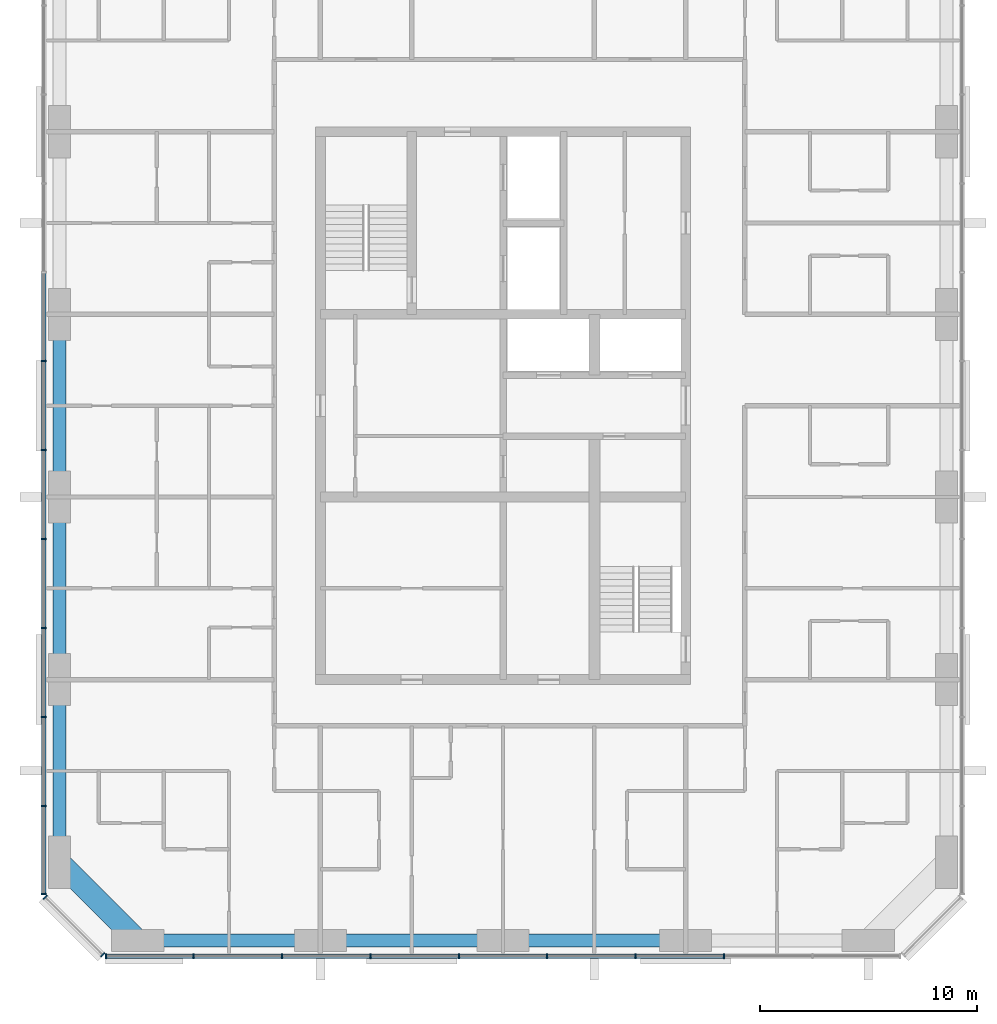
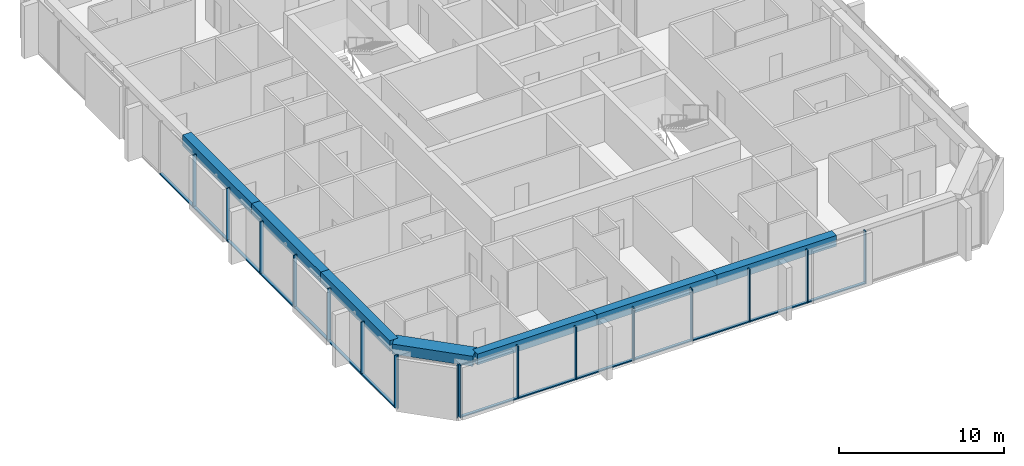
# One storey, part 2 of 12: 31 members, 7 beams, 3 elements without a shape of their own.
"""IFC4 building model written with IfcOpenShell, lengths in metres."""

from ifc_helpers import new_model, si_unit, direction, frame, origin, origin_2d, place, context, subcontext, project, spatial, rectangle, extrude, material, material_profile, profile_set, type_object, element, aggregate, save


model = new_model("IFC4")

# Units and contexts
model_context = context("Model", 3, precision=1e-05, world=origin(), true_north=direction((0.0, 1.0)))
body_context = subcontext(model_context, "Body", "Model", "MODEL_VIEW")
ifc_project = project(units=[si_unit("LENGTHUNIT", "METRE"), si_unit("AREAUNIT", "SQUARE_METRE"), si_unit("VOLUMEUNIT", "CUBIC_METRE"), si_unit("PLANEANGLEUNIT", "RADIAN"), si_unit("MASSUNIT", "GRAM", prefix="KILO")], contexts=[model_context])

# Site, building, storey
site_placement = place(None, origin())
site = spatial("IfcSite", under=ifc_project, at=site_placement, CompositionType="ELEMENT")
building_placement = place(site_placement, origin())
building = spatial("IfcBuilding", under=site, at=building_placement, Name="Dunama Terrace Hotel", CompositionType="ELEMENT")
storey_placement = place(building_placement, frame((0.0, 0.0, 256.800048828125)))
storey = spatial("IfcBuildingStorey", under=building, at=storey_placement, Name="L66", CompositionType="ELEMENT", Elevation=256.800048828125)

# Curtain wall, members
ifc_material_1 = material(Name="Aluminium curtain wall system", Category="aluminium")
curtain_wall_type = type_object("IfcCurtainWallType", Name="Unitised fritted glass wall CW-D", PredefinedType="NOTDEFINED", material=ifc_material_1)
curtain_wall_1_placement = place(storey_placement, origin())
curtain_wall_1 = element("IfcCurtainWall", 1, at=curtain_wall_1_placement, inside=storey, type_object=curtain_wall_type, Name="Unitised fritted glass wall CW-D L66", PredefinedType="NOTDEFINED")
ifc_material_2 = material(Name="Aluminium mullion", Category="aluminium")
ifc_material_profile_1 = material_profile(ifc_material_2, rectangle(XDim=0.070068359375, YDim=0.239990234375, at=origin_2d()), Name="CWD MULLION 70X240")
ifc_profile_set_1 = profile_set([ifc_material_profile_1], Name="Aluminium mullion")
member_type_1 = type_object("IfcMemberType", Name="CWD mullion 70x240", PredefinedType="MULLION", material=ifc_profile_set_1)
member_1_placement = place(storey_placement, frame((15.3349609375, 4.080078125, 0.0), z_axis=(0.0, 0.0, 1.0), x_axis=(1.0, 0.0, 0.0)))
member_1 = element("IfcMember", 2, at=member_1_placement, type_object=member_type_1, Name="CWD mullion", PredefinedType="MULLION", context=body_context, shape_type="SweptSolid", body=[
    extrude(rectangle(XDim=0.070068359375, YDim=0.239990234375, at=origin_2d()), origin(), (0.0, 0.0, 1.0), 3.89990234375),
])
member_2_placement = place(storey_placement, frame((19.366943359375, 4.080078125, 0.0), z_axis=(0.0, 0.0, 1.0), x_axis=(1.0, 0.0, 0.0)))
member_2 = element("IfcMember", 3, at=member_2_placement, type_object=member_type_1, Name="CWD mullion", PredefinedType="MULLION", context=body_context, shape_type="SweptSolid", body=[
    extrude(rectangle(XDim=0.070068359375, YDim=0.239990234375, at=origin_2d()), origin(), (0.0, 0.0, 1.0), 3.89990234375),
])
member_3_placement = place(storey_placement, frame((23.43310546875, 4.080078125, 0.0), z_axis=(0.0, 0.0, 1.0), x_axis=(1.0, 0.0, 0.0)))
member_3 = element("IfcMember", 4, at=member_3_placement, type_object=member_type_1, Name="CWD mullion", PredefinedType="MULLION", context=body_context, shape_type="SweptSolid", body=[
    extrude(rectangle(XDim=0.070068359375, YDim=0.239990234375, at=origin_2d()), origin(), (0.0, 0.0, 1.0), 3.89990234375),
])
member_4_placement = place(storey_placement, frame((27.5, 4.080078125, 0.0), z_axis=(0.0, 0.0, 1.0), x_axis=(1.0, 0.0, 0.0)))
member_4 = element("IfcMember", 5, at=member_4_placement, type_object=member_type_1, Name="CWD mullion", PredefinedType="MULLION", context=body_context, shape_type="SweptSolid", body=[
    extrude(rectangle(XDim=0.070068359375, YDim=0.239990234375, at=origin_2d()), origin(), (0.0, 0.0, 1.0), 3.89990234375),
])
member_5_placement = place(storey_placement, frame((31.56689453125, 4.080078125, 0.0), z_axis=(0.0, 0.0, 1.0), x_axis=(1.0, 0.0, 0.0)))
member_5 = element("IfcMember", 6, at=member_5_placement, type_object=member_type_1, Name="CWD mullion", PredefinedType="MULLION", context=body_context, shape_type="SweptSolid", body=[
    extrude(rectangle(XDim=0.070068359375, YDim=0.239990234375, at=origin_2d()), origin(), (0.0, 0.0, 1.0), 3.89990234375),
])
member_6_placement = place(storey_placement, frame((35.633056640625, 4.080078125, 0.0), z_axis=(0.0, 0.0, 1.0), x_axis=(1.0, 0.0, 0.0)))
member_6 = element("IfcMember", 7, at=member_6_placement, type_object=member_type_1, Name="CWD mullion", PredefinedType="MULLION", context=body_context, shape_type="SweptSolid", body=[
    extrude(rectangle(XDim=0.070068359375, YDim=0.239990234375, at=origin_2d()), origin(), (0.0, 0.0, 1.0), 3.89990234375),
])
member_7_placement = place(storey_placement, frame((39.699951171875, 4.080078125, 0.0), z_axis=(0.0, 0.0, 1.0), x_axis=(1.0, 0.0, 0.0)))
member_7 = element("IfcMember", 8, at=member_7_placement, type_object=member_type_1, Name="CWD mullion", PredefinedType="MULLION", context=body_context, shape_type="SweptSolid", body=[
    extrude(rectangle(XDim=0.070068359375, YDim=0.239990234375, at=origin_2d()), origin(), (0.0, 0.0, 1.0), 3.89990234375),
])
member_8_placement = place(storey_placement, frame((43.76708984375, 4.080078125, 0.0), z_axis=(0.0, 0.0, 1.0), x_axis=(1.0, 0.0, 0.0)))
member_8 = element("IfcMember", 9, at=member_8_placement, type_object=member_type_1, Name="CWD mullion", PredefinedType="MULLION", context=body_context, shape_type="SweptSolid", body=[
    extrude(rectangle(XDim=0.070068359375, YDim=0.239990234375, at=origin_2d()), origin(), (0.0, 0.0, 1.0), 3.89990234375),
])

curtain_wall_2_placement = place(storey_placement, origin())
curtain_wall_2 = element("IfcCurtainWall", 10, at=curtain_wall_2_placement, inside=storey, type_object=curtain_wall_type, Name="Unitised fritted glass wall CW-D L66", PredefinedType="NOTDEFINED")
member_9_placement = place(storey_placement, frame((12.47998046875, 31.445068359375, 0.0), z_axis=(0.0, 0.0, 1.0), x_axis=(0.0, -1.0, 0.0)))
member_9 = element("IfcMember", 11, at=member_9_placement, type_object=member_type_1, Name="CWD mullion", PredefinedType="MULLION", context=body_context, shape_type="SweptSolid", body=[
    extrude(rectangle(XDim=0.070068359375, YDim=0.239990234375, at=origin_2d()), origin(), (0.0, 0.0, 1.0), 3.89990234375),
])
member_10_placement = place(storey_placement, frame((12.47998046875, 27.35498046875, 0.0), z_axis=(0.0, 0.0, 1.0), x_axis=(0.0, -1.0, 0.0)))
member_10 = element("IfcMember", 12, at=member_10_placement, type_object=member_type_1, Name="CWD mullion", PredefinedType="MULLION", context=body_context, shape_type="SweptSolid", body=[
    extrude(rectangle(XDim=0.070068359375, YDim=0.239990234375, at=origin_2d()), origin(), (0.0, 0.0, 1.0), 3.89990234375),
])
member_11_placement = place(storey_placement, frame((12.47998046875, 23.263916015625, 0.0), z_axis=(0.0, 0.0, 1.0), x_axis=(0.0, -1.0, 0.0)))
member_11 = element("IfcMember", 13, at=member_11_placement, type_object=member_type_1, Name="CWD mullion", PredefinedType="MULLION", context=body_context, shape_type="SweptSolid", body=[
    extrude(rectangle(XDim=0.070068359375, YDim=0.239990234375, at=origin_2d()), origin(), (0.0, 0.0, 1.0), 3.89990234375),
])
member_12_placement = place(storey_placement, frame((12.47998046875, 19.173095703125, 0.0), z_axis=(0.0, 0.0, 1.0), x_axis=(0.0, -1.0, 0.0)))
member_12 = element("IfcMember", 14, at=member_12_placement, type_object=member_type_1, Name="CWD mullion", PredefinedType="MULLION", context=body_context, shape_type="SweptSolid", body=[
    extrude(rectangle(XDim=0.070068359375, YDim=0.239990234375, at=origin_2d()), origin(), (0.0, 0.0, 1.0), 3.89990234375),
])
member_13_placement = place(storey_placement, frame((12.47998046875, 15.08203125, 0.0), z_axis=(0.0, 0.0, 1.0), x_axis=(0.0, -1.0, 0.0)))
member_13 = element("IfcMember", 15, at=member_13_placement, type_object=member_type_1, Name="CWD mullion", PredefinedType="MULLION", context=body_context, shape_type="SweptSolid", body=[
    extrude(rectangle(XDim=0.070068359375, YDim=0.239990234375, at=origin_2d()), origin(), (0.0, 0.0, 1.0), 3.89990234375),
])
member_14_placement = place(storey_placement, frame((12.47998046875, 10.990966796875, 0.0), z_axis=(0.0, 0.0, 1.0), x_axis=(0.0, -1.0, 0.0)))
member_14 = element("IfcMember", 16, at=member_14_placement, type_object=member_type_1, Name="CWD mullion", PredefinedType="MULLION", context=body_context, shape_type="SweptSolid", body=[
    extrude(rectangle(XDim=0.070068359375, YDim=0.239990234375, at=origin_2d()), origin(), (0.0, 0.0, 1.0), 3.89990234375),
])
member_15_placement = place(storey_placement, frame((12.47998046875, 6.93505859375, 0.0), z_axis=(0.0, 0.0, 1.0), x_axis=(0.0, -1.0, 0.0)))
member_15 = element("IfcMember", 17, at=member_15_placement, type_object=member_type_1, Name="CWD mullion", PredefinedType="MULLION", context=body_context, shape_type="SweptSolid", body=[
    extrude(rectangle(XDim=0.070068359375, YDim=0.239990234375, at=origin_2d()), origin(), (0.0, 0.0, 1.0), 3.89990234375),
])

curtain_wall_3_placement = place(storey_placement, origin())
curtain_wall_3 = element("IfcCurtainWall", 18, at=curtain_wall_3_placement, inside=storey, type_object=curtain_wall_type, Name="Unitised fritted glass wall CW-D L66", PredefinedType="NOTDEFINED")
member_16_placement = place(storey_placement, frame((12.5400390625, 6.7900390625, 0.0), z_axis=(0.0, 0.0, 1.0), x_axis=(0.707106781187, -0.707106781187, 0.0)))
member_16 = element("IfcMember", 19, at=member_16_placement, type_object=member_type_1, Name="CWD mullion", PredefinedType="MULLION", context=body_context, shape_type="SweptSolid", body=[
    extrude(rectangle(XDim=0.070068359375, YDim=0.239990234375, at=origin_2d()), origin(), (0.0, 0.0, 1.0), 3.89990234375),
])
member_17_placement = place(storey_placement, frame((15.18994140625, 4.139892578125, 0.0), z_axis=(0.0, 0.0, 1.0), x_axis=(0.707106781187, -0.707106781187, 0.0)))
member_17 = element("IfcMember", 20, at=member_17_placement, type_object=member_type_1, Name="CWD mullion", PredefinedType="MULLION", context=body_context, shape_type="SweptSolid", body=[
    extrude(rectangle(XDim=0.070068359375, YDim=0.239990234375, at=origin_2d()), origin(), (0.0, 0.0, 1.0), 3.89990234375),
])
aggregate(curtain_wall_3, [member_16, member_17])

# Member
ifc_material_3 = material(Name="Aluminium transom", Category="aluminium")
ifc_material_profile_2 = material_profile(ifc_material_3, rectangle(XDim=0.199951171875, YDim=0.0849609375, at=origin_2d()), Name="CWD TRANSOM 200X85")
ifc_profile_set_2 = profile_set([ifc_material_profile_2], Name="Aluminium transom")
member_type_2 = type_object("IfcMemberType", Name="CWD transom 200x85", PredefinedType="USERDEFINED", material=ifc_profile_set_2)
member_18_placement = place(storey_placement, frame((15.3701171875, 4.080078125, 0.04248046875), z_axis=(1.0, 0.0, 0.0), x_axis=(0.0, 1.0, 0.0)))
member_18 = element("IfcMember", 21, at=member_18_placement, type_object=member_type_2, Name="CWD transom", ObjectType="TRANSOM", PredefinedType="USERDEFINED", context=body_context, shape_type="SweptSolid", body=[
    extrude(rectangle(XDim=0.199951171875, YDim=0.0849609375, at=origin_2d()), origin(), (0.0, 0.0, 1.0), 3.9619140625),
])

member_19_placement = place(storey_placement, frame((19.402099609375, 4.080078125, 0.04248046875), z_axis=(1.0, 0.0, 0.0), x_axis=(0.0, 1.0, 0.0)))
member_19 = element("IfcMember", 22, at=member_19_placement, type_object=member_type_2, Name="CWD transom", ObjectType="TRANSOM", PredefinedType="USERDEFINED", context=body_context, shape_type="SweptSolid", body=[
    extrude(rectangle(XDim=0.199951171875, YDim=0.0849609375, at=origin_2d()), origin(), (0.0, 0.0, 1.0), 3.995849609375),
])

member_20_placement = place(storey_placement, frame((23.468017578125, 4.080078125, 0.04248046875), z_axis=(1.0, 0.0, 0.0), x_axis=(0.0, 1.0, 0.0)))
member_20 = element("IfcMember", 23, at=member_20_placement, type_object=member_type_2, Name="CWD transom", ObjectType="TRANSOM", PredefinedType="USERDEFINED", context=body_context, shape_type="SweptSolid", body=[
    extrude(rectangle(XDim=0.199951171875, YDim=0.0849609375, at=origin_2d()), origin(), (0.0, 0.0, 1.0), 3.9970703125),
])

member_21_placement = place(storey_placement, frame((27.534912109375, 4.080078125, 0.04248046875), z_axis=(1.0, 0.0, 0.0), x_axis=(0.0, 1.0, 0.0)))
member_21 = element("IfcMember", 24, at=member_21_placement, type_object=member_type_2, Name="CWD transom", ObjectType="TRANSOM", PredefinedType="USERDEFINED", context=body_context, shape_type="SweptSolid", body=[
    extrude(rectangle(XDim=0.199951171875, YDim=0.0849609375, at=origin_2d()), origin(), (0.0, 0.0, 1.0), 3.9970703125),
])

member_22_placement = place(storey_placement, frame((31.60205078125, 4.080078125, 0.04248046875), z_axis=(1.0, 0.0, 0.0), x_axis=(0.0, 1.0, 0.0)))
member_22 = element("IfcMember", 25, at=member_22_placement, type_object=member_type_2, Name="CWD transom", ObjectType="TRANSOM", PredefinedType="USERDEFINED", context=body_context, shape_type="SweptSolid", body=[
    extrude(rectangle(XDim=0.199951171875, YDim=0.0849609375, at=origin_2d()), origin(), (0.0, 0.0, 1.0), 3.995849609375),
])

member_23_placement = place(storey_placement, frame((35.66796875, 4.080078125, 0.04248046875), z_axis=(1.0, 0.0, 0.0), x_axis=(0.0, 1.0, 0.0)))
member_23 = element("IfcMember", 26, at=member_23_placement, type_object=member_type_2, Name="CWD transom", ObjectType="TRANSOM", PredefinedType="USERDEFINED", context=body_context, shape_type="SweptSolid", body=[
    extrude(rectangle(XDim=0.199951171875, YDim=0.0849609375, at=origin_2d()), origin(), (0.0, 0.0, 1.0), 3.9970703125),
])

member_24_placement = place(storey_placement, frame((39.735107421875, 4.080078125, 0.04248046875), z_axis=(1.0, 0.0, 0.0), x_axis=(0.0, 1.0, 0.0)))
member_24 = element("IfcMember", 27, at=member_24_placement, type_object=member_type_2, Name="CWD transom", ObjectType="TRANSOM", PredefinedType="USERDEFINED", context=body_context, shape_type="SweptSolid", body=[
    extrude(rectangle(XDim=0.199951171875, YDim=0.0849609375, at=origin_2d()), origin(), (0.0, 0.0, 1.0), 3.996826171875),
])

aggregate(curtain_wall_1, [member_1, member_2, member_3, member_4, member_5, member_6, member_7, member_8, member_18, member_19, member_20, member_21, member_22, member_23, member_24])

member_25_placement = place(storey_placement, frame((12.47998046875, 35.5009765625, 0.04248046875), z_axis=(0.0, -1.0, 0.0), x_axis=(1.0, 0.0, 0.0)))
member_25 = element("IfcMember", 28, at=member_25_placement, type_object=member_type_2, Name="CWD transom", ObjectType="TRANSOM", PredefinedType="USERDEFINED", context=body_context, shape_type="SweptSolid", body=[
    extrude(rectangle(XDim=0.199951171875, YDim=0.0849609375, at=origin_2d()), origin(), (0.0, 0.0, 1.0), 4.02099609375),
])

member_26_placement = place(storey_placement, frame((12.47998046875, 31.409912109375, 0.04248046875), z_axis=(0.0, -1.0, 0.0), x_axis=(1.0, 0.0, 0.0)))
member_26 = element("IfcMember", 29, at=member_26_placement, type_object=member_type_2, Name="CWD transom", ObjectType="TRANSOM", PredefinedType="USERDEFINED", context=body_context, shape_type="SweptSolid", body=[
    extrude(rectangle(XDim=0.199951171875, YDim=0.0849609375, at=origin_2d()), origin(), (0.0, 0.0, 1.0), 4.02001953125),
])

member_27_placement = place(storey_placement, frame((12.47998046875, 27.320068359375, 0.04248046875), z_axis=(0.0, -1.0, 0.0), x_axis=(1.0, 0.0, 0.0)))
member_27 = element("IfcMember", 30, at=member_27_placement, type_object=member_type_2, Name="CWD transom", ObjectType="TRANSOM", PredefinedType="USERDEFINED", context=body_context, shape_type="SweptSolid", body=[
    extrude(rectangle(XDim=0.199951171875, YDim=0.0849609375, at=origin_2d()), origin(), (0.0, 0.0, 1.0), 4.02099609375),
])

member_28_placement = place(storey_placement, frame((12.47998046875, 23.22900390625, 0.04248046875), z_axis=(0.0, -1.0, 0.0), x_axis=(1.0, 0.0, 0.0)))
member_28 = element("IfcMember", 31, at=member_28_placement, type_object=member_type_2, Name="CWD transom", ObjectType="TRANSOM", PredefinedType="USERDEFINED", context=body_context, shape_type="SweptSolid", body=[
    extrude(rectangle(XDim=0.199951171875, YDim=0.0849609375, at=origin_2d()), origin(), (0.0, 0.0, 1.0), 4.02099609375),
])

member_29_placement = place(storey_placement, frame((12.47998046875, 19.137939453125, 0.04248046875), z_axis=(0.0, -1.0, 0.0), x_axis=(1.0, 0.0, 0.0)))
member_29 = element("IfcMember", 32, at=member_29_placement, type_object=member_type_2, Name="CWD transom", ObjectType="TRANSOM", PredefinedType="USERDEFINED", context=body_context, shape_type="SweptSolid", body=[
    extrude(rectangle(XDim=0.199951171875, YDim=0.0849609375, at=origin_2d()), origin(), (0.0, 0.0, 1.0), 4.02099609375),
])

member_30_placement = place(storey_placement, frame((12.47998046875, 15.047119140625, 0.04248046875), z_axis=(0.0, -1.0, 0.0), x_axis=(1.0, 0.0, 0.0)))
member_30 = element("IfcMember", 33, at=member_30_placement, type_object=member_type_2, Name="CWD transom", ObjectType="TRANSOM", PredefinedType="USERDEFINED", context=body_context, shape_type="SweptSolid", body=[
    extrude(rectangle(XDim=0.199951171875, YDim=0.0849609375, at=origin_2d()), origin(), (0.0, 0.0, 1.0), 4.021240234375),
])

member_31_placement = place(storey_placement, frame((12.47998046875, 10.9560546875, 0.04248046875), z_axis=(0.0, -1.0, 0.0), x_axis=(1.0, 0.0, 0.0)))
member_31 = element("IfcMember", 34, at=member_31_placement, type_object=member_type_2, Name="CWD transom", ObjectType="TRANSOM", PredefinedType="USERDEFINED", context=body_context, shape_type="SweptSolid", body=[
    extrude(rectangle(XDim=0.199951171875, YDim=0.0849609375, at=origin_2d()), origin(), (0.0, 0.0, 1.0), 3.986083984375),
])

aggregate(curtain_wall_2, [member_9, member_10, member_11, member_12, member_13, member_14, member_15, member_25, member_26, member_27, member_28, member_29, member_30, member_31])

# Beams
ifc_material_4 = material(Name="Concrete C50/60", Category="concrete")
ifc_material_profile_3 = material_profile(ifc_material_4, rectangle(XDim=1.0, YDim=0.75, at=origin_2d()), Name="RC 1000x750")
ifc_profile_set_3 = profile_set([ifc_material_profile_3], Name="Concrete C50/60")
beam_type_1 = type_object("IfcBeamType", Name="Edge beam RC 1000x750", PredefinedType="SPANDREL", material=ifc_profile_set_3)
beam_1_placement = place(storey_placement, frame((16.800048828125, 4.800048828125, 3.52490234375), z_axis=(-0.707130757816, 0.707082803744, 0.0), x_axis=(-0.707082803744, -0.707130757816, 0.0)))
element("IfcBeam", 35, at=beam_1_placement, inside=storey, type_object=beam_type_1, Name="Corner edge beam under L67", PredefinedType="SPANDREL", context=body_context, shape_type="SweptSolid", body=[
    extrude(rectangle(XDim=1.0, YDim=0.75, at=origin_2d()), origin(), (0.0, 0.0, 1.0), 5.091064453125),
])
ifc_material_5 = material(Name="Concrete C40/50", Category="concrete")
ifc_material_profile_4 = material_profile(ifc_material_5, rectangle(XDim=0.60009765625, YDim=0.800048828125, at=origin_2d()), Name="RC 600x800")
ifc_profile_set_4 = profile_set([ifc_material_profile_4], Name="Concrete C40/50")
beam_type_2 = type_object("IfcBeamType", Name="Edge beam RC 600x800", PredefinedType="SPANDREL", material=ifc_profile_set_4)
beam_2_placement = place(storey_placement, frame((13.199951171875, 8.39990234375, 3.5), z_axis=(0.0, 1.0, 0.0), x_axis=(-1.0, 0.0, 0.0)))
element("IfcBeam", 36, at=beam_2_placement, inside=storey, type_object=beam_type_2, Name="Edge beam under L67", PredefinedType="SPANDREL", context=body_context, shape_type="SweptSolid", body=[
    extrude(rectangle(XDim=0.60009765625, YDim=0.800048828125, at=origin_2d()), origin(), (0.0, 0.0, 1.0), 8.400146484375),
])
beam_3_placement = place(storey_placement, frame((13.199951171875, 16.800048828125, 3.5), z_axis=(0.0, 1.0, 0.0), x_axis=(-1.0, 0.0, 0.0)))
element("IfcBeam", 37, at=beam_3_placement, inside=storey, type_object=beam_type_2, Name="Edge beam under L67", PredefinedType="SPANDREL", context=body_context, shape_type="SweptSolid", body=[
    extrude(rectangle(XDim=0.60009765625, YDim=0.800048828125, at=origin_2d()), origin(), (0.0, 0.0, 1.0), 8.39990234375),
])
beam_4_placement = place(storey_placement, frame((13.199951171875, 25.199951171875, 3.5), z_axis=(0.0, 1.0, 0.0), x_axis=(-1.0, 0.0, 0.0)))
element("IfcBeam", 38, at=beam_4_placement, inside=storey, type_object=beam_type_2, Name="Edge beam under L67", PredefinedType="SPANDREL", context=body_context, shape_type="SweptSolid", body=[
    extrude(rectangle(XDim=0.60009765625, YDim=0.800048828125, at=origin_2d()), origin(), (0.0, 0.0, 1.0), 8.400146484375),
])
beam_5_placement = place(storey_placement, frame((16.800048828125, 4.800048828125, 3.5), z_axis=(1.0, 0.0, 0.0), x_axis=(0.0, 1.0, 0.0)))
element("IfcBeam", 39, at=beam_5_placement, inside=storey, type_object=beam_type_2, Name="Edge beam under L67", PredefinedType="SPANDREL", context=body_context, shape_type="SweptSolid", body=[
    extrude(rectangle(XDim=0.60009765625, YDim=0.800048828125, at=origin_2d()), origin(), (0.0, 0.0, 1.0), 8.39990234375),
])
beam_6_placement = place(storey_placement, frame((25.199951171875, 4.800048828125, 3.5), z_axis=(1.0, 0.0, 0.0), x_axis=(0.0, 1.0, 0.0)))
element("IfcBeam", 40, at=beam_6_placement, inside=storey, type_object=beam_type_2, Name="Edge beam under L67", PredefinedType="SPANDREL", context=body_context, shape_type="SweptSolid", body=[
    extrude(rectangle(XDim=0.60009765625, YDim=0.800048828125, at=origin_2d()), origin(), (0.0, 0.0, 1.0), 8.400146484375),
])
beam_7_placement = place(storey_placement, frame((33.60009765625, 4.800048828125, 3.5), z_axis=(1.0, 0.0, 0.0), x_axis=(0.0, 1.0, 0.0)))
element("IfcBeam", 41, at=beam_7_placement, inside=storey, type_object=beam_type_2, Name="Edge beam under L67", PredefinedType="SPANDREL", context=body_context, shape_type="SweptSolid", body=[
    extrude(rectangle(XDim=0.60009765625, YDim=0.800048828125, at=origin_2d()), origin(), (0.0, 0.0, 1.0), 8.39990234375),
])

save(model, "model.ifc")
